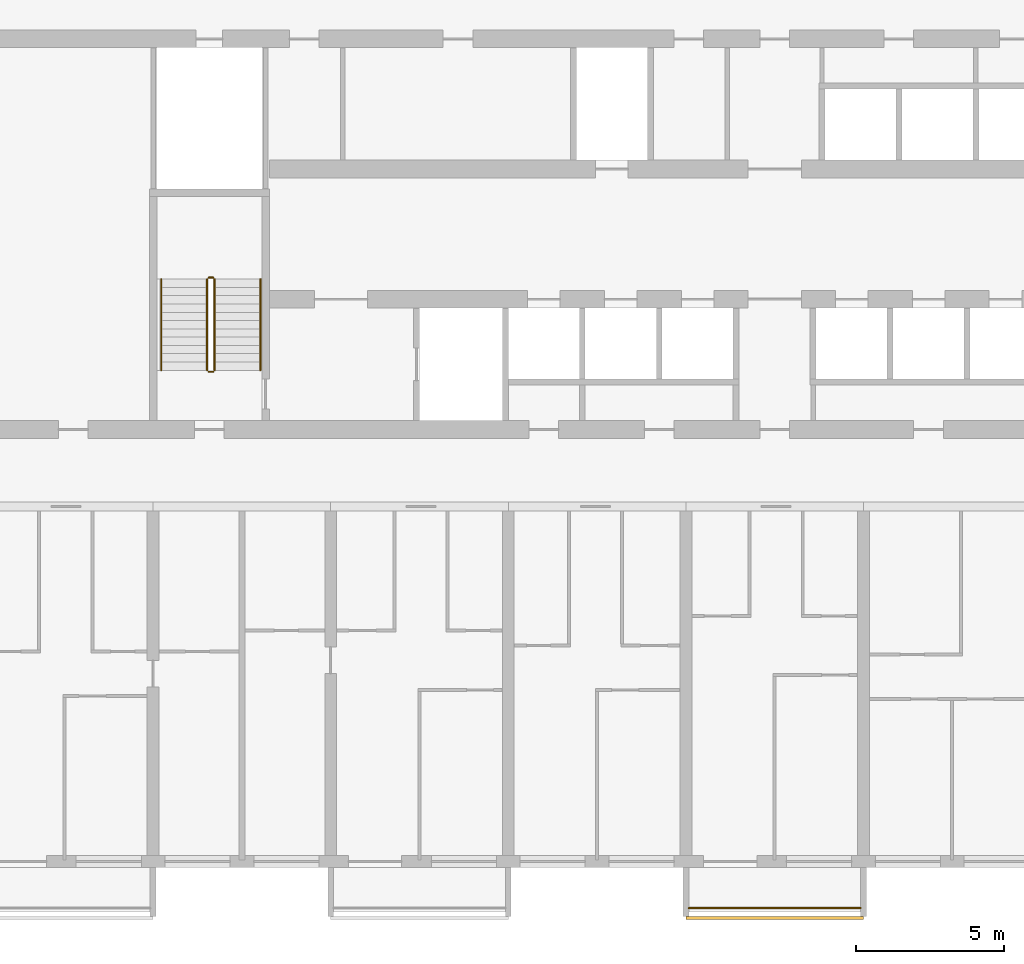
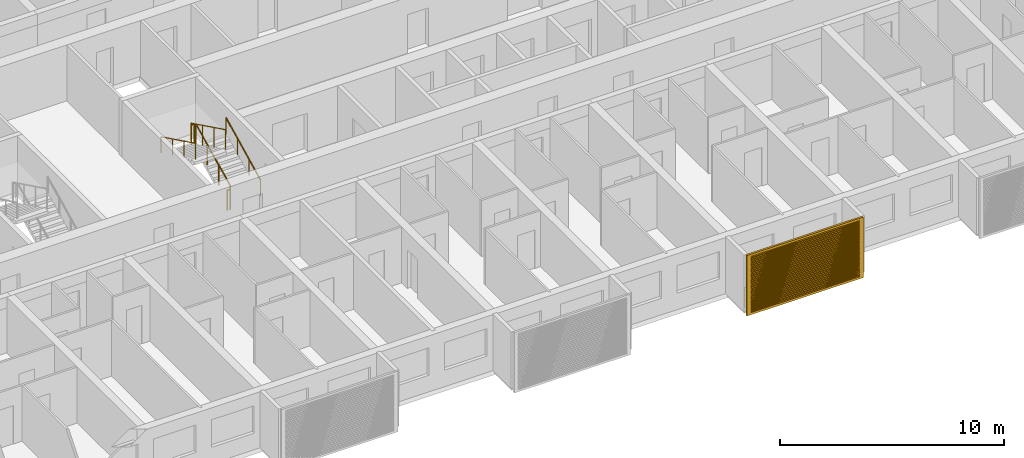
# One storey, part 21 of 23: 7 railings, 1 shading device.
"""IFC4 building model written with IfcOpenShell, lengths in metres."""

from ifc_helpers import new_model, si_unit, direction, frame, origin, origin_2d, place, context, subcontext, project, spatial, polyline, circle, outline, extrude, source, transform, mapped, material, material_profile, profile_set, type_object, element, save


model = new_model("IFC4")

# Units and contexts
model_context = context("Model", 3, precision=1e-05, world=origin(), true_north=direction((0.0, 1.0)))
body_context = subcontext(model_context, "Body", "Model", "MODEL_VIEW")
ifc_project = project(units=[si_unit("LENGTHUNIT", "METRE"), si_unit("AREAUNIT", "SQUARE_METRE"), si_unit("VOLUMEUNIT", "CUBIC_METRE"), si_unit("PLANEANGLEUNIT", "RADIAN"), si_unit("MASSUNIT", "GRAM", prefix="KILO")], contexts=[model_context])

# Site, building, storey
site_placement = place(None, origin())
site = spatial("IfcSite", under=ifc_project, at=site_placement, CompositionType="ELEMENT")
building_placement = place(site_placement, origin())
building = spatial("IfcBuilding", under=site, at=building_placement, Name="Poui Terraces", CompositionType="ELEMENT")
storey_placement = place(building_placement, frame((0.0, 0.0, 23.39990234375)))
storey = spatial("IfcBuildingStorey", under=building, at=storey_placement, Name="L05", CompositionType="ELEMENT", Elevation=23.39990234375)

# Railings
ifc_material_1 = material(Name="Painted steel fretwork", Category="steel")
railing_type_1 = type_object("IfcRailingType", Name="BALCONY GUARD 1100", PredefinedType="GUARDRAIL", material=ifc_material_1)
railing_1_placement = place(storey_placement, frame((48.10009765625, -1.570068359375, 0.0)))
element("IfcRailing", 1, at=railing_1_placement, inside=storey, type_object=railing_type_1, Name="BALCONY GUARD", PredefinedType="GUARDRAIL", context=body_context, shape_type="SweptSolid", body=[
    extrude(circle(Radius=0.02392578125, at=origin_2d()), frame((0.0, 0.0, 1.076171875), z_axis=(1.0, 0.0, 0.0), x_axis=(0.0, 1.0, 0.0)), (0.0, 0.0, 1.0), 5.7998046875),
    extrude(circle(Radius=0.02099609375, at=origin_2d()), origin(), (0.0, 0.0, 1.0), 1.052001953125),
    extrude(circle(Radius=0.02099609375, at=origin_2d()), frame((0.966552734375, 0.0, 0.0)), (0.0, 0.0, 1.0), 1.052001953125),
    extrude(circle(Radius=0.02099609375, at=origin_2d()), frame((1.933349609375, 0.0, 0.0)), (0.0, 0.0, 1.0), 1.052001953125),
    extrude(circle(Radius=0.02099609375, at=origin_2d()), frame((2.89990234375, 0.0, 0.0)), (0.0, 0.0, 1.0), 1.052001953125),
    extrude(circle(Radius=0.02099609375, at=origin_2d()), frame((3.866455078125, 0.0, 0.0)), (0.0, 0.0, 1.0), 1.052001953125),
    extrude(circle(Radius=0.02099609375, at=origin_2d()), frame((4.833251953125, 0.0, 0.0)), (0.0, 0.0, 1.0), 1.052001953125),
    extrude(circle(Radius=0.02099609375, at=origin_2d()), frame((5.7998046875, 0.0, 0.0)), (0.0, 0.0, 1.0), 1.052001953125),
])
ifc_material_2 = material(Name="Galvanised steel balustrade", Category="steel")
railing_type_2 = type_object("IfcRailingType", Name="STAIR GUARD 1100", PredefinedType="GUARDRAIL", material=ifc_material_2)
railing_2_placement = place(storey_placement, frame((32.074951171875, 16.60009765625, 0.1376953125)))
element("IfcRailing", 2, at=railing_2_placement, inside=storey, type_object=railing_type_2, Name="L05 ST-CW stair guard 1", PredefinedType="GUARDRAIL", context=body_context, shape_type="SweptSolid", body=[
    extrude(circle(Radius=0.02392578125, at=origin_2d()), frame((0.0, 0.0, 1.076171875), z_axis=(0.0, 0.897606190399, 0.440798283751), x_axis=(-1.0, 0.0, 0.0)), (0.0, 0.0, 1.0), 3.43115234375),
    extrude(circle(Radius=0.02099609375, at=origin_2d()), origin(), (0.0, 0.0, 1.0), 1.052001953125),
    extrude(circle(Radius=0.02099609375, at=origin_2d()), frame((0.0, 1.026611328125, 0.504150390625)), (0.0, 0.0, 1.0), 1.052001953125),
    extrude(circle(Radius=0.02099609375, at=origin_2d()), frame((0.0, 2.05322265625, 1.00830078125)), (0.0, 0.0, 1.0), 1.052001953125),
    extrude(circle(Radius=0.02099609375, at=origin_2d()), frame((0.0, 3.079833984375, 1.512451171875)), (0.0, 0.0, 1.0), 1.052001953125),
])
railing_3_placement = place(storey_placement, frame((32.02490234375, 19.72998046875, 1.650146484375)))
element("IfcRailing", 3, at=railing_3_placement, inside=storey, type_object=railing_type_2, Name="L05 ST-CW stair guard 2", PredefinedType="GUARDRAIL", context=body_context, shape_type="SweptSolid", body=[
    extrude(circle(Radius=0.02392578125, at=origin_2d()), frame((0.0, 0.0, 1.076171875), z_axis=(-1.0, 0.0, 0.0), x_axis=(0.0, -1.0, 0.0)), (0.0, 0.0, 1.0), 0.14990234375),
    extrude(circle(Radius=0.02099609375, at=origin_2d()), origin(), (0.0, 0.0, 1.0), 1.052001953125),
    extrude(circle(Radius=0.02099609375, at=origin_2d()), frame((-0.14990234375, 0.0, 0.0)), (0.0, 0.0, 1.0), 1.052001953125),
])
railing_4_placement = place(storey_placement, frame((31.824951171875, 19.679931640625, 1.78759765625)))
element("IfcRailing", 4, at=railing_4_placement, inside=storey, type_object=railing_type_2, Name="L05 ST-CW stair guard 3", PredefinedType="GUARDRAIL", context=body_context, shape_type="SweptSolid", body=[
    extrude(circle(Radius=0.02392578125, at=origin_2d()), frame((0.0, 0.0, 1.076171875), z_axis=(0.0, -0.897606190399, 0.440798283751), x_axis=(1.0, 0.0, 0.0)), (0.0, 0.0, 1.0), 3.43115234375),
    extrude(circle(Radius=0.02099609375, at=origin_2d()), origin(), (0.0, 0.0, 1.0), 1.052001953125),
    extrude(circle(Radius=0.02099609375, at=origin_2d()), frame((0.0, -1.026611328125, 0.504150390625)), (0.0, 0.0, 1.0), 1.052001953125),
    extrude(circle(Radius=0.02099609375, at=origin_2d()), frame((0.0, -2.05322265625, 1.00830078125)), (0.0, 0.0, 1.0), 1.052001953125),
    extrude(circle(Radius=0.02099609375, at=origin_2d()), frame((0.0, -3.079833984375, 1.512451171875)), (0.0, 0.0, 1.0), 1.052001953125),
])
railing_5_placement = place(storey_placement, frame((32.02490234375, 16.550048828125, 0.0)))
element("IfcRailing", 5, at=railing_5_placement, inside=storey, type_object=railing_type_2, Name="L05 ST-CW stair guard 4", PredefinedType="GUARDRAIL", context=body_context, shape_type="SweptSolid", body=[
    extrude(circle(Radius=0.02392578125, at=origin_2d()), frame((0.0, 0.0, 1.076171875), z_axis=(-1.0, 0.0, 0.0), x_axis=(0.0, -1.0, 0.0)), (0.0, 0.0, 1.0), 0.14990234375),
    extrude(circle(Radius=0.02099609375, at=origin_2d()), origin(), (0.0, 0.0, 1.0), 1.052001953125),
    extrude(circle(Radius=0.02099609375, at=origin_2d()), frame((-0.14990234375, 0.0, 0.0)), (0.0, 0.0, 1.0), 1.052001953125),
])
ifc_material_3 = material(Name="Stainless steel handrail", Category="steel")
railing_type_3 = type_object("IfcRailingType", Name="STAIR HANDRAIL 900", PredefinedType="HANDRAIL", material=ifc_material_3)
railing_6_placement = place(storey_placement, frame((33.625, 16.60009765625, 0.1376953125)))
element("IfcRailing", 6, at=railing_6_placement, inside=storey, type_object=railing_type_3, Name="L05 ST-CW stair handrail 1", PredefinedType="HANDRAIL", context=body_context, shape_type="SweptSolid", body=[
    extrude(circle(Radius=0.02392578125, at=origin_2d()), frame((0.0, 0.0, 0.8759765625), z_axis=(0.0, 0.897606190399, 0.440798283751), x_axis=(-1.0, 0.0, 0.0)), (0.0, 0.0, 1.0), 3.43115234375),
    extrude(circle(Radius=0.02099609375, at=origin_2d()), origin(), (0.0, 0.0, 1.0), 0.851806640625),
    extrude(circle(Radius=0.02099609375, at=origin_2d()), frame((0.0, 1.026611328125, 0.504150390625)), (0.0, 0.0, 1.0), 0.851806640625),
    extrude(circle(Radius=0.02099609375, at=origin_2d()), frame((0.0, 2.05322265625, 1.00830078125)), (0.0, 0.0, 1.0), 0.851806640625),
    extrude(circle(Radius=0.02099609375, at=origin_2d()), frame((0.0, 3.079833984375, 1.512451171875)), (0.0, 0.0, 1.0), 0.851806640625),
])
railing_7_placement = place(storey_placement, frame((30.27490234375, 19.679931640625, 1.78759765625)))
element("IfcRailing", 7, at=railing_7_placement, inside=storey, type_object=railing_type_3, Name="L05 ST-CW stair handrail 2", PredefinedType="HANDRAIL", context=body_context, shape_type="SweptSolid", body=[
    extrude(circle(Radius=0.02392578125, at=origin_2d()), frame((0.0, 0.0, 0.8759765625), z_axis=(0.0, -0.897606190399, 0.440798283751), x_axis=(1.0, 0.0, 0.0)), (0.0, 0.0, 1.0), 3.43115234375),
    extrude(circle(Radius=0.02099609375, at=origin_2d()), origin(), (0.0, 0.0, 1.0), 0.851806640625),
    extrude(circle(Radius=0.02099609375, at=origin_2d()), frame((0.0, -1.026611328125, 0.504150390625)), (0.0, 0.0, 1.0), 0.851806640625),
    extrude(circle(Radius=0.02099609375, at=origin_2d()), frame((0.0, -2.05322265625, 1.00830078125)), (0.0, 0.0, 1.0), 0.851806640625),
    extrude(circle(Radius=0.02099609375, at=origin_2d()), frame((0.0, -3.079833984375, 1.512451171875)), (0.0, 0.0, 1.0), 0.851806640625),
])

# Shading device
ifc_material_4 = material(Name="Aluminium louvre", Category="aluminium")
ifc_material_profile = material_profile(ifc_material_4, outline(polyline([(-3.0, -1.64990234375), (3.0, -1.64990234375), (3.0, 1.64990234375), (-3.0, 1.64990234375), (-3.0, -1.64990234375)]), holes=[polyline([(-2.800048828125, -1.530029296875), (2.800048828125, -1.530029296875), (2.800048828125, -1.469970703125), (-2.800048828125, -1.469970703125), (-2.800048828125, -1.530029296875)]), polyline([(-2.800048828125, -1.429931640625), (2.800048828125, -1.429931640625), (2.800048828125, -1.3701171875), (-2.800048828125, -1.3701171875), (-2.800048828125, -1.429931640625)]), polyline([(-2.800048828125, -1.330078125), (2.800048828125, -1.330078125), (2.800048828125, -1.27001953125), (-2.800048828125, -1.27001953125), (-2.800048828125, -1.330078125)]), polyline([(-2.800048828125, -1.22998046875), (2.800048828125, -1.22998046875), (2.800048828125, -1.169921875), (-2.800048828125, -1.169921875), (-2.800048828125, -1.22998046875)]), polyline([(-2.800048828125, -1.1298828125), (2.800048828125, -1.1298828125), (2.800048828125, -1.070068359375), (-2.800048828125, -1.070068359375), (-2.800048828125, -1.1298828125)]), polyline([(-2.800048828125, -1.030029296875), (2.800048828125, -1.030029296875), (2.800048828125, -0.969970703125), (-2.800048828125, -0.969970703125), (-2.800048828125, -1.030029296875)]), polyline([(-2.800048828125, -0.929931640625), (2.800048828125, -0.929931640625), (2.800048828125, -0.8701171875), (-2.800048828125, -0.8701171875), (-2.800048828125, -0.929931640625)]), polyline([(-2.800048828125, -0.830078125), (2.800048828125, -0.830078125), (2.800048828125, -0.77001953125), (-2.800048828125, -0.77001953125), (-2.800048828125, -0.830078125)]), polyline([(-2.800048828125, -0.72998046875), (2.800048828125, -0.72998046875), (2.800048828125, -0.669921875), (-2.800048828125, -0.669921875), (-2.800048828125, -0.72998046875)]), polyline([(-2.800048828125, -0.6298828125), (2.800048828125, -0.6298828125), (2.800048828125, -0.570068359375), (-2.800048828125, -0.570068359375), (-2.800048828125, -0.6298828125)]), polyline([(-2.800048828125, -0.530029296875), (2.800048828125, -0.530029296875), (2.800048828125, -0.469970703125), (-2.800048828125, -0.469970703125), (-2.800048828125, -0.530029296875)]), polyline([(-2.800048828125, -0.429931640625), (2.800048828125, -0.429931640625), (2.800048828125, -0.3701171875), (-2.800048828125, -0.3701171875), (-2.800048828125, -0.429931640625)]), polyline([(-2.800048828125, -0.330078125), (2.800048828125, -0.330078125), (2.800048828125, -0.27001953125), (-2.800048828125, -0.27001953125), (-2.800048828125, -0.330078125)]), polyline([(-2.800048828125, -0.22998046875), (2.800048828125, -0.22998046875), (2.800048828125, -0.169921875), (-2.800048828125, -0.169921875), (-2.800048828125, -0.22998046875)]), polyline([(-2.800048828125, -0.1298828125), (2.800048828125, -0.1298828125), (2.800048828125, -0.070068359375), (-2.800048828125, -0.070068359375), (-2.800048828125, -0.1298828125)]), polyline([(-2.800048828125, -0.030029296875), (2.800048828125, -0.030029296875), (2.800048828125, 0.030029296875), (-2.800048828125, 0.030029296875), (-2.800048828125, -0.030029296875)]), polyline([(-2.800048828125, 0.070068359375), (2.800048828125, 0.070068359375), (2.800048828125, 0.1298828125), (-2.800048828125, 0.1298828125), (-2.800048828125, 0.070068359375)]), polyline([(-2.800048828125, 0.169921875), (2.800048828125, 0.169921875), (2.800048828125, 0.22998046875), (-2.800048828125, 0.22998046875), (-2.800048828125, 0.169921875)]), polyline([(-2.800048828125, 0.27001953125), (2.800048828125, 0.27001953125), (2.800048828125, 0.330078125), (-2.800048828125, 0.330078125), (-2.800048828125, 0.27001953125)]), polyline([(-2.800048828125, 0.3701171875), (2.800048828125, 0.3701171875), (2.800048828125, 0.429931640625), (-2.800048828125, 0.429931640625), (-2.800048828125, 0.3701171875)]), polyline([(-2.800048828125, 0.469970703125), (2.800048828125, 0.469970703125), (2.800048828125, 0.530029296875), (-2.800048828125, 0.530029296875), (-2.800048828125, 0.469970703125)]), polyline([(-2.800048828125, 0.570068359375), (2.800048828125, 0.570068359375), (2.800048828125, 0.6298828125), (-2.800048828125, 0.6298828125), (-2.800048828125, 0.570068359375)]), polyline([(-2.800048828125, 0.669921875), (2.800048828125, 0.669921875), (2.800048828125, 0.72998046875), (-2.800048828125, 0.72998046875), (-2.800048828125, 0.669921875)]), polyline([(-2.800048828125, 0.77001953125), (2.800048828125, 0.77001953125), (2.800048828125, 0.830078125), (-2.800048828125, 0.830078125), (-2.800048828125, 0.77001953125)]), polyline([(-2.800048828125, 0.8701171875), (2.800048828125, 0.8701171875), (2.800048828125, 0.929931640625), (-2.800048828125, 0.929931640625), (-2.800048828125, 0.8701171875)]), polyline([(-2.800048828125, 0.969970703125), (2.800048828125, 0.969970703125), (2.800048828125, 1.030029296875), (-2.800048828125, 1.030029296875), (-2.800048828125, 0.969970703125)]), polyline([(-2.800048828125, 1.070068359375), (2.800048828125, 1.070068359375), (2.800048828125, 1.1298828125), (-2.800048828125, 1.1298828125), (-2.800048828125, 1.070068359375)]), polyline([(-2.800048828125, 1.169921875), (2.800048828125, 1.169921875), (2.800048828125, 1.22998046875), (-2.800048828125, 1.22998046875), (-2.800048828125, 1.169921875)]), polyline([(-2.800048828125, 1.27001953125), (2.800048828125, 1.27001953125), (2.800048828125, 1.330078125), (-2.800048828125, 1.330078125), (-2.800048828125, 1.27001953125)]), polyline([(-2.800048828125, 1.3701171875), (2.800048828125, 1.3701171875), (2.800048828125, 1.429931640625), (-2.800048828125, 1.429931640625), (-2.800048828125, 1.3701171875)]), polyline([(-2.800048828125, 1.469970703125), (2.800048828125, 1.469970703125), (2.800048828125, 1.530029296875), (-2.800048828125, 1.530029296875), (-2.800048828125, 1.469970703125)])]), Name="JALOUSIE LOUVRE SHUTTER 6000X3300")
ifc_profile_set = profile_set([ifc_material_profile], Name="Aluminium louvre")
shading_device_type = type_object("IfcShadingDeviceType", Name="JALOUSIE LOUVRE SHUTTER 6000X3300", PredefinedType="JALOUSIE", material=ifc_profile_set)
shared_shape = source(origin(), body_context, "Body", "SweptSolid", [
    extrude(outline(polyline([(-3.0, -1.64990234375), (3.0, -1.64990234375), (3.0, 1.64990234375), (-3.0, 1.64990234375), (-3.0, -1.64990234375)]), holes=[polyline([(-2.800048828125, -1.530029296875), (2.800048828125, -1.530029296875), (2.800048828125, -1.469970703125), (-2.800048828125, -1.469970703125), (-2.800048828125, -1.530029296875)]), polyline([(-2.800048828125, -1.429931640625), (2.800048828125, -1.429931640625), (2.800048828125, -1.3701171875), (-2.800048828125, -1.3701171875), (-2.800048828125, -1.429931640625)]), polyline([(-2.800048828125, -1.330078125), (2.800048828125, -1.330078125), (2.800048828125, -1.27001953125), (-2.800048828125, -1.27001953125), (-2.800048828125, -1.330078125)]), polyline([(-2.800048828125, -1.22998046875), (2.800048828125, -1.22998046875), (2.800048828125, -1.169921875), (-2.800048828125, -1.169921875), (-2.800048828125, -1.22998046875)]), polyline([(-2.800048828125, -1.1298828125), (2.800048828125, -1.1298828125), (2.800048828125, -1.070068359375), (-2.800048828125, -1.070068359375), (-2.800048828125, -1.1298828125)]), polyline([(-2.800048828125, -1.030029296875), (2.800048828125, -1.030029296875), (2.800048828125, -0.969970703125), (-2.800048828125, -0.969970703125), (-2.800048828125, -1.030029296875)]), polyline([(-2.800048828125, -0.929931640625), (2.800048828125, -0.929931640625), (2.800048828125, -0.8701171875), (-2.800048828125, -0.8701171875), (-2.800048828125, -0.929931640625)]), polyline([(-2.800048828125, -0.830078125), (2.800048828125, -0.830078125), (2.800048828125, -0.77001953125), (-2.800048828125, -0.77001953125), (-2.800048828125, -0.830078125)]), polyline([(-2.800048828125, -0.72998046875), (2.800048828125, -0.72998046875), (2.800048828125, -0.669921875), (-2.800048828125, -0.669921875), (-2.800048828125, -0.72998046875)]), polyline([(-2.800048828125, -0.6298828125), (2.800048828125, -0.6298828125), (2.800048828125, -0.570068359375), (-2.800048828125, -0.570068359375), (-2.800048828125, -0.6298828125)]), polyline([(-2.800048828125, -0.530029296875), (2.800048828125, -0.530029296875), (2.800048828125, -0.469970703125), (-2.800048828125, -0.469970703125), (-2.800048828125, -0.530029296875)]), polyline([(-2.800048828125, -0.429931640625), (2.800048828125, -0.429931640625), (2.800048828125, -0.3701171875), (-2.800048828125, -0.3701171875), (-2.800048828125, -0.429931640625)]), polyline([(-2.800048828125, -0.330078125), (2.800048828125, -0.330078125), (2.800048828125, -0.27001953125), (-2.800048828125, -0.27001953125), (-2.800048828125, -0.330078125)]), polyline([(-2.800048828125, -0.22998046875), (2.800048828125, -0.22998046875), (2.800048828125, -0.169921875), (-2.800048828125, -0.169921875), (-2.800048828125, -0.22998046875)]), polyline([(-2.800048828125, -0.1298828125), (2.800048828125, -0.1298828125), (2.800048828125, -0.070068359375), (-2.800048828125, -0.070068359375), (-2.800048828125, -0.1298828125)]), polyline([(-2.800048828125, -0.030029296875), (2.800048828125, -0.030029296875), (2.800048828125, 0.030029296875), (-2.800048828125, 0.030029296875), (-2.800048828125, -0.030029296875)]), polyline([(-2.800048828125, 0.070068359375), (2.800048828125, 0.070068359375), (2.800048828125, 0.1298828125), (-2.800048828125, 0.1298828125), (-2.800048828125, 0.070068359375)]), polyline([(-2.800048828125, 0.169921875), (2.800048828125, 0.169921875), (2.800048828125, 0.22998046875), (-2.800048828125, 0.22998046875), (-2.800048828125, 0.169921875)]), polyline([(-2.800048828125, 0.27001953125), (2.800048828125, 0.27001953125), (2.800048828125, 0.330078125), (-2.800048828125, 0.330078125), (-2.800048828125, 0.27001953125)]), polyline([(-2.800048828125, 0.3701171875), (2.800048828125, 0.3701171875), (2.800048828125, 0.429931640625), (-2.800048828125, 0.429931640625), (-2.800048828125, 0.3701171875)]), polyline([(-2.800048828125, 0.469970703125), (2.800048828125, 0.469970703125), (2.800048828125, 0.530029296875), (-2.800048828125, 0.530029296875), (-2.800048828125, 0.469970703125)]), polyline([(-2.800048828125, 0.570068359375), (2.800048828125, 0.570068359375), (2.800048828125, 0.6298828125), (-2.800048828125, 0.6298828125), (-2.800048828125, 0.570068359375)]), polyline([(-2.800048828125, 0.669921875), (2.800048828125, 0.669921875), (2.800048828125, 0.72998046875), (-2.800048828125, 0.72998046875), (-2.800048828125, 0.669921875)]), polyline([(-2.800048828125, 0.77001953125), (2.800048828125, 0.77001953125), (2.800048828125, 0.830078125), (-2.800048828125, 0.830078125), (-2.800048828125, 0.77001953125)]), polyline([(-2.800048828125, 0.8701171875), (2.800048828125, 0.8701171875), (2.800048828125, 0.929931640625), (-2.800048828125, 0.929931640625), (-2.800048828125, 0.8701171875)]), polyline([(-2.800048828125, 0.969970703125), (2.800048828125, 0.969970703125), (2.800048828125, 1.030029296875), (-2.800048828125, 1.030029296875), (-2.800048828125, 0.969970703125)]), polyline([(-2.800048828125, 1.070068359375), (2.800048828125, 1.070068359375), (2.800048828125, 1.1298828125), (-2.800048828125, 1.1298828125), (-2.800048828125, 1.070068359375)]), polyline([(-2.800048828125, 1.169921875), (2.800048828125, 1.169921875), (2.800048828125, 1.22998046875), (-2.800048828125, 1.22998046875), (-2.800048828125, 1.169921875)]), polyline([(-2.800048828125, 1.27001953125), (2.800048828125, 1.27001953125), (2.800048828125, 1.330078125), (-2.800048828125, 1.330078125), (-2.800048828125, 1.27001953125)]), polyline([(-2.800048828125, 1.3701171875), (2.800048828125, 1.3701171875), (2.800048828125, 1.429931640625), (-2.800048828125, 1.429931640625), (-2.800048828125, 1.3701171875)]), polyline([(-2.800048828125, 1.469970703125), (2.800048828125, 1.469970703125), (2.800048828125, 1.530029296875), (-2.800048828125, 1.530029296875), (-2.800048828125, 1.469970703125)])]), origin(), (0.0, 0.0, 1.0), 0.099853515625),
])
shading_device_placement = place(storey_placement, frame((51.0, -1.85009765625, 1.4501953125), z_axis=(0.0, -1.0, 0.0), x_axis=(1.0, 0.0, 0.0)))
element("IfcShadingDevice", 8, at=shading_device_placement, inside=storey, type_object=shading_device_type, Name="JALOUSIE LOUVRE SHUTTER", PredefinedType="JALOUSIE", context=body_context, shape_type="MappedRepresentation", body=[
    mapped(shared_shape, transform((0.0, 0.0, 0.0))),
])

save(model, "model.ifc")
